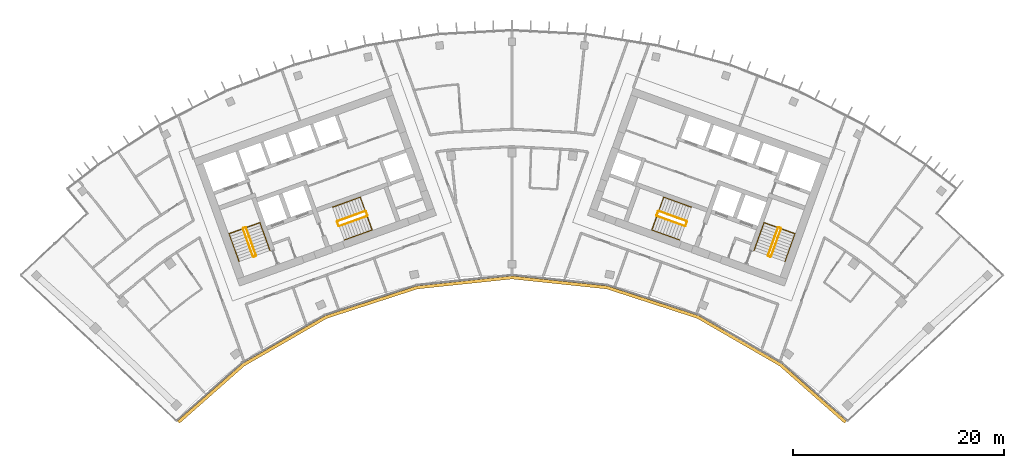
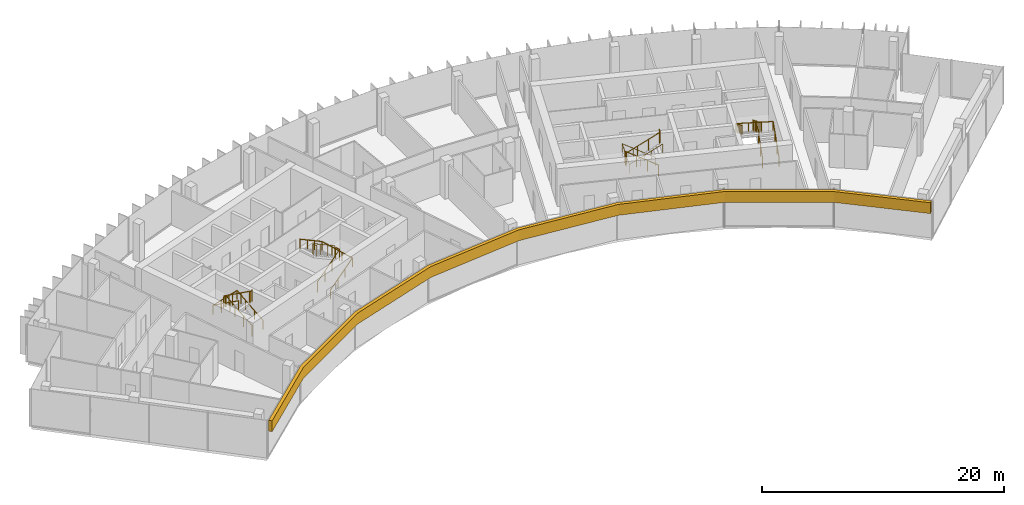
# One storey, part 19 of 19: 12 railings, 1 covering.
"""IFC4 building model written with IfcOpenShell, lengths in metres."""

from ifc_helpers import new_model, si_unit, direction, frame, origin, origin_2d, place, context, subcontext, project, spatial, polyline, circle, outline, extrude, material, layer, layer_set, type_object, element, save


model = new_model("IFC4")

# Units and contexts
model_context = context("Model", 3, precision=1e-05, world=origin(), true_north=direction((0.0, 1.0)))
body_context = subcontext(model_context, "Body", "Model", "MODEL_VIEW")
ifc_project = project(units=[si_unit("LENGTHUNIT", "METRE"), si_unit("AREAUNIT", "SQUARE_METRE"), si_unit("VOLUMEUNIT", "CUBIC_METRE"), si_unit("PLANEANGLEUNIT", "RADIAN"), si_unit("MASSUNIT", "GRAM", prefix="KILO")], contexts=[model_context])

# Site, building, storey
site_placement = place(None, origin())
site = spatial("IfcSite", under=ifc_project, at=site_placement, CompositionType="ELEMENT")
building_placement = place(site_placement, origin())
building = spatial("IfcBuilding", under=site, at=building_placement, Name="Stone Belt Terrace Tower", CompositionType="ELEMENT")
storey_placement = place(building_placement, frame((0.0, 0.0, 303.60009765625)))
storey = spatial("IfcBuildingStorey", under=building, at=storey_placement, Name="L74", CompositionType="ELEMENT", Elevation=303.60009765625)

# Railings
ifc_material_1 = material(Name="Structural steel C345", Category="steel")
railing_type_1 = type_object("IfcRailingType", Name="Stair guard 1100", PredefinedType="GUARDRAIL", material=ifc_material_1)
railing_1_placement = place(storey_placement, frame((-24.2119140625, 45.276123046875, 0.172607421875)))
element("IfcRailing", 1, at=railing_1_placement, inside=storey, type_object=railing_type_1, Name="L74 ST1A stair guard 1", PredefinedType="GUARDRAIL", context=body_context, shape_type="SweptSolid", body=[
    extrude(circle(Radius=0.02392578125, at=origin_2d()), frame((0.0, 0.0, 1.076171875), z_axis=(-0.288228637646, 0.800791768495, 0.525030280985), x_axis=(-0.940908529223, -0.338660803216, 0.0)), (0.0, 0.0, 1.0), 3.289794921875),
    extrude(circle(Radius=0.02392578125, at=origin_2d()), frame((-0.9482421875, 2.634521484375, 2.80322265625), z_axis=(-0.905209821074, 0.424964916, 0.0), x_axis=(-0.424964916, -0.905209821074, 0.0)), (0.0, 0.0, 1.0), 0.070556640625),
    extrude(circle(Radius=0.02392578125, at=origin_2d()), frame((-1.01220703125, 2.66455078125, 2.80322265625), z_axis=(-0.941105063269, -0.338114270461, 0.0), x_axis=(0.338114270461, -0.941105063269, 0.0)), (0.0, 0.0, 1.0), 0.199951171875),
    extrude(circle(Radius=0.02099609375, at=origin_2d()), origin(), (0.0, 0.0, 1.0), 1.052001953125),
    extrude(circle(Radius=0.02099609375, at=origin_2d()), frame((-0.316162109375, 0.878173828125, 0.57568359375)), (0.0, 0.0, 1.0), 1.052001953125),
    extrude(circle(Radius=0.02099609375, at=origin_2d()), frame((-0.632080078125, 1.75634765625, 1.151611328125)), (0.0, 0.0, 1.0), 1.052001953125),
    extrude(circle(Radius=0.02099609375, at=origin_2d()), frame((-0.9482421875, 2.634521484375, 1.727294921875)), (0.0, 0.0, 1.0), 1.052001953125),
    extrude(circle(Radius=0.02099609375, at=origin_2d()), frame((-1.01220703125, 2.66455078125, 1.727294921875)), (0.0, 0.0, 1.0), 1.052001953125),
    extrude(circle(Radius=0.02099609375, at=origin_2d()), frame((-1.200439453125, 2.596923828125, 1.727294921875)), (0.0, 0.0, 1.0), 1.052001953125),
])
railing_2_placement = place(storey_placement, frame((-25.4423828125, 47.80908203125, 2.072509765625)))
element("IfcRailing", 2, at=railing_2_placement, inside=storey, type_object=railing_type_1, Name="L74 ST1A stair guard 2", PredefinedType="GUARDRAIL", context=body_context, shape_type="SweptSolid", body=[
    extrude(circle(Radius=0.02392578125, at=origin_2d()), frame((0.0, 0.0, 1.076171875), z_axis=(0.288228637646, -0.800791768495, 0.525030280985), x_axis=(0.940908529223, 0.338660803216, 0.0)), (0.0, 0.0, 1.0), 3.289794921875),
    extrude(circle(Radius=0.02392578125, at=origin_2d()), frame((0.9482421875, -2.634521484375, 2.80322265625), z_axis=(0.903878284585, -0.427789722475, 0.0), x_axis=(0.427789722475, 0.903878284585, 0.0)), (0.0, 0.0, 1.0), 0.07080078125),
    extrude(circle(Radius=0.02392578125, at=origin_2d()), frame((1.01220703125, -2.664794921875, 2.80322265625), z_axis=(0.940575576748, 0.339584429008, 0.0), x_axis=(-0.339584429008, 0.940575576748, 0.0)), (0.0, 0.0, 1.0), 0.199951171875),
    extrude(circle(Radius=0.02099609375, at=origin_2d()), origin(), (0.0, 0.0, 1.0), 1.052001953125),
    extrude(circle(Radius=0.02099609375, at=origin_2d()), frame((0.316162109375, -0.878173828125, 0.57568359375)), (0.0, 0.0, 1.0), 1.052001953125),
    extrude(circle(Radius=0.02099609375, at=origin_2d()), frame((0.632080078125, -1.75634765625, 1.151611328125)), (0.0, 0.0, 1.0), 1.052001953125),
    extrude(circle(Radius=0.02099609375, at=origin_2d()), frame((0.9482421875, -2.634521484375, 1.727294921875)), (0.0, 0.0, 1.0), 1.052001953125),
    extrude(circle(Radius=0.02099609375, at=origin_2d()), frame((1.01220703125, -2.664794921875, 1.727294921875)), (0.0, 0.0, 1.0), 1.052001953125),
    extrude(circle(Radius=0.02099609375, at=origin_2d()), frame((1.2001953125, -2.596923828125, 1.727294921875)), (0.0, 0.0, 1.0), 1.052001953125),
])
railing_3_placement = place(storey_placement, frame((-16.33837890625, 48.056640625, 0.172607421875)))
element("IfcRailing", 3, at=railing_3_placement, inside=storey, type_object=railing_type_1, Name="L74 ST2A stair guard 1", PredefinedType="GUARDRAIL", context=body_context, shape_type="SweptSolid", body=[
    extrude(circle(Radius=0.02392578125, at=origin_2d()), frame((0.0, 0.0, 1.076171875), z_axis=(0.800808895155, 0.288160591223, 0.52504150989), x_axis=(-0.338583606334, 0.940936311087, 0.0)), (0.0, 0.0, 1.0), 3.289794921875),
    extrude(circle(Radius=0.02392578125, at=origin_2d()), frame((2.634521484375, 0.947998046875, 2.80322265625), z_axis=(0.427789722475, 0.903878284585, 0.0), x_axis=(-0.903878284585, 0.427789722475, 0.0)), (0.0, 0.0, 1.0), 0.07080078125),
    extrude(circle(Radius=0.02392578125, at=origin_2d()), frame((2.664794921875, 1.011962890625, 2.80322265625), z_axis=(-0.338654645739, 0.940910745459, 0.0), x_axis=(-0.940910745459, -0.338654645739, 0.0)), (0.0, 0.0, 1.0), 0.400146484375),
    extrude(circle(Radius=0.02099609375, at=origin_2d()), origin(), (0.0, 0.0, 1.0), 1.052001953125),
    extrude(circle(Radius=0.02099609375, at=origin_2d()), frame((0.878173828125, 0.31591796875, 0.57568359375)), (0.0, 0.0, 1.0), 1.052001953125),
    extrude(circle(Radius=0.02099609375, at=origin_2d()), frame((1.75634765625, 0.632080078125, 1.151611328125)), (0.0, 0.0, 1.0), 1.052001953125),
    extrude(circle(Radius=0.02099609375, at=origin_2d()), frame((2.634521484375, 0.947998046875, 1.727294921875)), (0.0, 0.0, 1.0), 1.052001953125),
    extrude(circle(Radius=0.02099609375, at=origin_2d()), frame((2.664794921875, 1.011962890625, 1.727294921875)), (0.0, 0.0, 1.0), 1.052001953125),
    extrude(circle(Radius=0.02099609375, at=origin_2d()), frame((2.529296875, 1.388427734375, 1.727294921875)), (0.0, 0.0, 1.0), 1.052001953125),
])
railing_4_placement = place(storey_placement, frame((-13.873046875, 49.47509765625, 2.072509765625)))
element("IfcRailing", 4, at=railing_4_placement, inside=storey, type_object=railing_type_1, Name="L74 ST2A stair guard 2", PredefinedType="GUARDRAIL", context=body_context, shape_type="SweptSolid", body=[
    extrude(circle(Radius=0.02392578125, at=origin_2d()), frame((0.0, 0.0, 1.076171875), z_axis=(-0.800808895155, -0.288160591223, 0.52504150989), x_axis=(0.338583606334, -0.940936311087, 0.0)), (0.0, 0.0, 1.0), 3.289794921875),
    extrude(circle(Radius=0.02392578125, at=origin_2d()), frame((-2.634521484375, -0.947998046875, 2.80322265625), z_axis=(-0.427789722475, -0.903878284585, 0.0), x_axis=(0.903878284585, -0.427789722475, 0.0)), (0.0, 0.0, 1.0), 0.07080078125),
    extrude(circle(Radius=0.02392578125, at=origin_2d()), frame((-2.664794921875, -1.011962890625, 2.80322265625), z_axis=(0.338654645739, -0.940910745459, 0.0), x_axis=(0.940910745459, 0.338654645739, 0.0)), (0.0, 0.0, 1.0), 0.400146484375),
    extrude(circle(Radius=0.02099609375, at=origin_2d()), origin(), (0.0, 0.0, 1.0), 1.052001953125),
    extrude(circle(Radius=0.02099609375, at=origin_2d()), frame((-0.878173828125, -0.31591796875, 0.57568359375)), (0.0, 0.0, 1.0), 1.052001953125),
    extrude(circle(Radius=0.02099609375, at=origin_2d()), frame((-1.75634765625, -0.632080078125, 1.151611328125)), (0.0, 0.0, 1.0), 1.052001953125),
    extrude(circle(Radius=0.02099609375, at=origin_2d()), frame((-2.634521484375, -0.947998046875, 1.727294921875)), (0.0, 0.0, 1.0), 1.052001953125),
    extrude(circle(Radius=0.02099609375, at=origin_2d()), frame((-2.664794921875, -1.011962890625, 1.727294921875)), (0.0, 0.0, 1.0), 1.052001953125),
    extrude(circle(Radius=0.02099609375, at=origin_2d()), frame((-2.529296875, -1.388427734375, 1.727294921875)), (0.0, 0.0, 1.0), 1.052001953125),
])
railing_5_placement = place(storey_placement, frame((24.494140625, 45.174560546875, 0.172607421875)))
element("IfcRailing", 5, at=railing_5_placement, inside=storey, type_object=railing_type_1, Name="L74 ST1B stair guard 1", PredefinedType="GUARDRAIL", context=body_context, shape_type="SweptSolid", body=[
    extrude(circle(Radius=0.02392578125, at=origin_2d()), frame((0.0, 0.0, 1.076171875), z_axis=(0.288228637646, 0.800791768495, 0.525030280985), x_axis=(-0.940908529223, 0.338660803216, 0.0)), (0.0, 0.0, 1.0), 3.289794921875),
    extrude(circle(Radius=0.02392578125, at=origin_2d()), frame((0.9482421875, 2.634521484375, 2.80322265625), z_axis=(-0.424964916, 0.905209821074, 0.0), x_axis=(-0.905209821074, -0.424964916, 0.0)), (0.0, 0.0, 1.0), 0.070556640625),
    extrude(circle(Radius=0.02392578125, at=origin_2d()), frame((0.918212890625, 2.698486328125, 2.80322265625), z_axis=(-0.941105063269, 0.338114270461, 0.0), x_axis=(-0.338114270461, -0.941105063269, 0.0)), (0.0, 0.0, 1.0), 0.199951171875),
    extrude(circle(Radius=0.02099609375, at=origin_2d()), origin(), (0.0, 0.0, 1.0), 1.052001953125),
    extrude(circle(Radius=0.02099609375, at=origin_2d()), frame((0.316162109375, 0.878173828125, 0.57568359375)), (0.0, 0.0, 1.0), 1.052001953125),
    extrude(circle(Radius=0.02099609375, at=origin_2d()), frame((0.632080078125, 1.75634765625, 1.151611328125)), (0.0, 0.0, 1.0), 1.052001953125),
    extrude(circle(Radius=0.02099609375, at=origin_2d()), frame((0.9482421875, 2.634521484375, 1.727294921875)), (0.0, 0.0, 1.0), 1.052001953125),
    extrude(circle(Radius=0.02099609375, at=origin_2d()), frame((0.918212890625, 2.698486328125, 1.727294921875)), (0.0, 0.0, 1.0), 1.052001953125),
    extrude(circle(Radius=0.02099609375, at=origin_2d()), frame((0.72998046875, 2.76611328125, 1.727294921875)), (0.0, 0.0, 1.0), 1.052001953125),
])
railing_6_placement = place(storey_placement, frame((25.16015625, 47.91064453125, 2.072509765625)))
element("IfcRailing", 6, at=railing_6_placement, inside=storey, type_object=railing_type_1, Name="L74 ST1B stair guard 2", PredefinedType="GUARDRAIL", context=body_context, shape_type="SweptSolid", body=[
    extrude(circle(Radius=0.02392578125, at=origin_2d()), frame((0.0, 0.0, 1.076171875), z_axis=(-0.288228637646, -0.800791768495, 0.525030280985), x_axis=(0.940908529223, -0.338660803216, 0.0)), (0.0, 0.0, 1.0), 3.289794921875),
    extrude(circle(Radius=0.02392578125, at=origin_2d()), frame((-0.9482421875, -2.634521484375, 2.80322265625), z_axis=(0.427789722475, -0.903878284585, 0.0), x_axis=(0.903878284585, 0.427789722475, 0.0)), (0.0, 0.0, 1.0), 0.07080078125),
    extrude(circle(Radius=0.02392578125, at=origin_2d()), frame((-0.91796875, -2.698486328125, 2.80322265625), z_axis=(0.940575576748, -0.339584429008, 0.0), x_axis=(0.339584429008, 0.940575576748, 0.0)), (0.0, 0.0, 1.0), 0.199951171875),
    extrude(circle(Radius=0.02099609375, at=origin_2d()), origin(), (0.0, 0.0, 1.0), 1.052001953125),
    extrude(circle(Radius=0.02099609375, at=origin_2d()), frame((-0.316162109375, -0.878173828125, 0.57568359375)), (0.0, 0.0, 1.0), 1.052001953125),
    extrude(circle(Radius=0.02099609375, at=origin_2d()), frame((-0.632080078125, -1.75634765625, 1.151611328125)), (0.0, 0.0, 1.0), 1.052001953125),
    extrude(circle(Radius=0.02099609375, at=origin_2d()), frame((-0.9482421875, -2.634521484375, 1.727294921875)), (0.0, 0.0, 1.0), 1.052001953125),
    extrude(circle(Radius=0.02099609375, at=origin_2d()), frame((-0.91796875, -2.698486328125, 1.727294921875)), (0.0, 0.0, 1.0), 1.052001953125),
    extrude(circle(Radius=0.02099609375, at=origin_2d()), frame((-0.72998046875, -2.766357421875, 1.727294921875)), (0.0, 0.0, 1.0), 1.052001953125),
])
railing_7_placement = place(storey_placement, frame((16.507568359375, 48.527099609375, 0.172607421875)))
element("IfcRailing", 7, at=railing_7_placement, inside=storey, type_object=railing_type_1, Name="L74 ST2B stair guard 1", PredefinedType="GUARDRAIL", context=body_context, shape_type="SweptSolid", body=[
    extrude(circle(Radius=0.02392578125, at=origin_2d()), frame((0.0, 0.0, 1.076171875), z_axis=(-0.800808895155, 0.288160591223, 0.52504150989), x_axis=(-0.338583606334, -0.940936311087, 0.0)), (0.0, 0.0, 1.0), 3.289794921875),
    extrude(circle(Radius=0.02392578125, at=origin_2d()), frame((-2.634521484375, 0.947998046875, 2.80322265625), z_axis=(-0.905209821074, -0.424964916, 0.0), x_axis=(0.424964916, -0.905209821074, 0.0)), (0.0, 0.0, 1.0), 0.070556640625),
    extrude(circle(Radius=0.02392578125, at=origin_2d()), frame((-2.698486328125, 0.91796875, 2.80322265625), z_axis=(-0.338654645739, -0.940910745459, 0.0), x_axis=(0.940910745459, -0.338654645739, 0.0)), (0.0, 0.0, 1.0), 0.400146484375),
    extrude(circle(Radius=0.02099609375, at=origin_2d()), origin(), (0.0, 0.0, 1.0), 1.052001953125),
    extrude(circle(Radius=0.02099609375, at=origin_2d()), frame((-0.878173828125, 0.31591796875, 0.57568359375)), (0.0, 0.0, 1.0), 1.052001953125),
    extrude(circle(Radius=0.02099609375, at=origin_2d()), frame((-1.75634765625, 0.632080078125, 1.151611328125)), (0.0, 0.0, 1.0), 1.052001953125),
    extrude(circle(Radius=0.02099609375, at=origin_2d()), frame((-2.634521484375, 0.947998046875, 1.727294921875)), (0.0, 0.0, 1.0), 1.052001953125),
    extrude(circle(Radius=0.02099609375, at=origin_2d()), frame((-2.698486328125, 0.91796875, 1.727294921875)), (0.0, 0.0, 1.0), 1.052001953125),
    extrude(circle(Radius=0.02099609375, at=origin_2d()), frame((-2.833984375, 0.54150390625, 1.727294921875)), (0.0, 0.0, 1.0), 1.052001953125),
])
railing_8_placement = place(storey_placement, frame((13.703857421875, 49.004638671875, 2.072509765625)))
element("IfcRailing", 8, at=railing_8_placement, inside=storey, type_object=railing_type_1, Name="L74 ST2B stair guard 2", PredefinedType="GUARDRAIL", context=body_context, shape_type="SweptSolid", body=[
    extrude(circle(Radius=0.02392578125, at=origin_2d()), frame((0.0, 0.0, 1.076171875), z_axis=(0.800808895155, -0.288160591223, 0.52504150989), x_axis=(0.338583606334, 0.940936311087, 0.0)), (0.0, 0.0, 1.0), 3.289794921875),
    extrude(circle(Radius=0.02392578125, at=origin_2d()), frame((2.634521484375, -0.947998046875, 2.80322265625), z_axis=(0.905209821074, 0.424964916, 0.0), x_axis=(-0.424964916, 0.905209821074, 0.0)), (0.0, 0.0, 1.0), 0.070556640625),
    extrude(circle(Radius=0.02392578125, at=origin_2d()), frame((2.698486328125, -0.91796875, 2.80322265625), z_axis=(0.338654645739, 0.940910745459, 0.0), x_axis=(-0.940910745459, 0.338654645739, 0.0)), (0.0, 0.0, 1.0), 0.400146484375),
    extrude(circle(Radius=0.02099609375, at=origin_2d()), origin(), (0.0, 0.0, 1.0), 1.052001953125),
    extrude(circle(Radius=0.02099609375, at=origin_2d()), frame((0.878173828125, -0.31591796875, 0.57568359375)), (0.0, 0.0, 1.0), 1.052001953125),
    extrude(circle(Radius=0.02099609375, at=origin_2d()), frame((1.75634765625, -0.632080078125, 1.151611328125)), (0.0, 0.0, 1.0), 1.052001953125),
    extrude(circle(Radius=0.02099609375, at=origin_2d()), frame((2.634521484375, -0.947998046875, 1.727294921875)), (0.0, 0.0, 1.0), 1.052001953125),
    extrude(circle(Radius=0.02099609375, at=origin_2d()), frame((2.698486328125, -0.91796875, 1.727294921875)), (0.0, 0.0, 1.0), 1.052001953125),
    extrude(circle(Radius=0.02099609375, at=origin_2d()), frame((2.833984375, -0.54150390625, 1.727294921875)), (0.0, 0.0, 1.0), 1.052001953125),
])
railing_type_2 = type_object("IfcRailingType", Name="Stair handrail 900", PredefinedType="HANDRAIL", material=ifc_material_1)
railing_9_placement = place(storey_placement, frame((-22.894775390625, 45.750244140625, 0.172607421875)))
element("IfcRailing", 9, at=railing_9_placement, inside=storey, type_object=railing_type_2, Name="L74 ST1A stair handrail 1", PredefinedType="HANDRAIL", context=body_context, shape_type="SweptSolid", body=[
    extrude(circle(Radius=0.02392578125, at=origin_2d()), frame((0.0, 0.0, 0.8759765625), z_axis=(-0.288160591223, 0.800808895155, 0.52504150989), x_axis=(-0.940936311087, -0.338583606334, 0.0)), (0.0, 0.0, 1.0), 3.289794921875),
    extrude(circle(Radius=0.02392578125, at=origin_2d()), frame((-0.947998046875, 2.634521484375, 2.60302734375), z_axis=(-0.939464517435, -0.338106580597, 0.055591012205), x_axis=(0.338630230244, -0.940919532779, 0.0)), (0.0, 0.0, 1.0), 3.10498046875),
    extrude(circle(Radius=0.02392578125, at=origin_2d()), frame((-3.864990234375, 1.584716796875, 2.77587890625), z_axis=(0.288228637646, -0.800791768495, 0.525030280985), x_axis=(0.940908529223, 0.338660803216, 0.0)), (0.0, 0.0, 1.0), 3.289794921875),
    extrude(circle(Radius=0.02099609375, at=origin_2d()), origin(), (0.0, 0.0, 1.0), 0.851806640625),
    extrude(circle(Radius=0.02099609375, at=origin_2d()), frame((-0.31591796875, 0.878173828125, 0.57568359375)), (0.0, 0.0, 1.0), 0.851806640625),
    extrude(circle(Radius=0.02099609375, at=origin_2d()), frame((-0.632080078125, 1.75634765625, 1.151611328125)), (0.0, 0.0, 1.0), 0.851806640625),
    extrude(circle(Radius=0.02099609375, at=origin_2d()), frame((-0.947998046875, 2.634521484375, 1.727294921875)), (0.0, 0.0, 1.0), 0.851806640625),
    extrude(circle(Radius=0.02099609375, at=origin_2d()), frame((-1.92041015625, 2.28466796875, 1.784912109375)), (0.0, 0.0, 1.0), 0.851806640625),
    extrude(circle(Radius=0.02099609375, at=origin_2d()), frame((-2.892578125, 1.9345703125, 1.84228515625)), (0.0, 0.0, 1.0), 0.851806640625),
    extrude(circle(Radius=0.02099609375, at=origin_2d()), frame((-3.864990234375, 1.584716796875, 1.89990234375)), (0.0, 0.0, 1.0), 0.851806640625),
    extrude(circle(Radius=0.02099609375, at=origin_2d()), frame((-3.548828125, 0.70654296875, 2.4755859375)), (0.0, 0.0, 1.0), 0.851806640625),
    extrude(circle(Radius=0.02099609375, at=origin_2d()), frame((-3.23291015625, -0.171630859375, 3.051513671875)), (0.0, 0.0, 1.0), 0.851806640625),
    extrude(circle(Radius=0.02099609375, at=origin_2d()), frame((-2.916748046875, -1.0498046875, 3.627197265625)), (0.0, 0.0, 1.0), 0.851806640625),
])
railing_10_placement = place(storey_placement, frame((-15.8642578125, 46.7392578125, 0.172607421875)))
element("IfcRailing", 10, at=railing_10_placement, inside=storey, type_object=railing_type_2, Name="L74 ST2A stair handrail 1", PredefinedType="HANDRAIL", context=body_context, shape_type="SweptSolid", body=[
    extrude(circle(Radius=0.02392578125, at=origin_2d()), frame((0.0, 0.0, 0.8759765625), z_axis=(0.800791768495, 0.288228637646, 0.525030280985), x_axis=(-0.338660803216, 0.940908529223, 0.0)), (0.0, 0.0, 1.0), 3.289794921875),
    extrude(circle(Radius=0.02392578125, at=origin_2d()), frame((2.634521484375, 0.9482421875, 2.60302734375), z_axis=(-0.338160254016, 0.939637778147, 0.052234935458), x_axis=(-0.940922302781, -0.338622533404, 0.0)), (0.0, 0.0, 1.0), 3.304443359375),
    extrude(circle(Radius=0.02392578125, at=origin_2d()), frame((1.51708984375, 4.05322265625, 2.77587890625), z_axis=(-0.800791768495, -0.288228637646, 0.525030280985), x_axis=(0.338660803216, -0.940908529223, 0.0)), (0.0, 0.0, 1.0), 3.289794921875),
    extrude(circle(Radius=0.02099609375, at=origin_2d()), origin(), (0.0, 0.0, 1.0), 0.851806640625),
    extrude(circle(Radius=0.02099609375, at=origin_2d()), frame((0.878173828125, 0.316162109375, 0.57568359375)), (0.0, 0.0, 1.0), 0.851806640625),
    extrude(circle(Radius=0.02099609375, at=origin_2d()), frame((1.75634765625, 0.632080078125, 1.151611328125)), (0.0, 0.0, 1.0), 0.851806640625),
    extrude(circle(Radius=0.02099609375, at=origin_2d()), frame((2.634521484375, 0.9482421875, 1.727294921875)), (0.0, 0.0, 1.0), 0.851806640625),
    extrude(circle(Radius=0.02099609375, at=origin_2d()), frame((2.261962890625, 1.983154296875, 1.784912109375)), (0.0, 0.0, 1.0), 0.851806640625),
    extrude(circle(Radius=0.02099609375, at=origin_2d()), frame((1.8896484375, 3.018310546875, 1.84228515625)), (0.0, 0.0, 1.0), 0.851806640625),
    extrude(circle(Radius=0.02099609375, at=origin_2d()), frame((1.51708984375, 4.05322265625, 1.89990234375)), (0.0, 0.0, 1.0), 0.851806640625),
    extrude(circle(Radius=0.02099609375, at=origin_2d()), frame((0.638916015625, 3.737060546875, 2.4755859375)), (0.0, 0.0, 1.0), 0.851806640625),
    extrude(circle(Radius=0.02099609375, at=origin_2d()), frame((-0.2392578125, 3.421142578125, 3.051513671875)), (0.0, 0.0, 1.0), 0.851806640625),
    extrude(circle(Radius=0.02099609375, at=origin_2d()), frame((-1.117431640625, 3.10498046875, 3.627197265625)), (0.0, 0.0, 1.0), 0.851806640625),
])
railing_11_placement = place(storey_placement, frame((25.8115234375, 44.700439453125, 0.172607421875)))
element("IfcRailing", 11, at=railing_11_placement, inside=storey, type_object=railing_type_2, Name="L74 ST1B stair handrail 1", PredefinedType="HANDRAIL", context=body_context, shape_type="SweptSolid", body=[
    extrude(circle(Radius=0.02392578125, at=origin_2d()), frame((0.0, 0.0, 0.8759765625), z_axis=(0.288228637646, 0.800791768495, 0.525030280985), x_axis=(-0.940908529223, 0.338660803216, 0.0)), (0.0, 0.0, 1.0), 3.289794921875),
    extrude(circle(Radius=0.02392578125, at=origin_2d()), frame((0.9482421875, 2.634521484375, 2.60302734375), z_axis=(-0.939464517435, 0.338106580597, 0.055591012205), x_axis=(-0.338630230244, -0.940919532779, 0.0)), (0.0, 0.0, 1.0), 3.10498046875),
    extrude(circle(Radius=0.02392578125, at=origin_2d()), frame((-1.96875, 3.684326171875, 2.77587890625), z_axis=(-0.288160591223, -0.800808895155, 0.52504150989), x_axis=(0.940936311087, -0.338583606334, 0.0)), (0.0, 0.0, 1.0), 3.289794921875),
    extrude(circle(Radius=0.02099609375, at=origin_2d()), origin(), (0.0, 0.0, 1.0), 0.851806640625),
    extrude(circle(Radius=0.02099609375, at=origin_2d()), frame((0.316162109375, 0.878173828125, 0.57568359375)), (0.0, 0.0, 1.0), 0.851806640625),
    extrude(circle(Radius=0.02099609375, at=origin_2d()), frame((0.632080078125, 1.75634765625, 1.151611328125)), (0.0, 0.0, 1.0), 0.851806640625),
    extrude(circle(Radius=0.02099609375, at=origin_2d()), frame((0.9482421875, 2.634521484375, 1.727294921875)), (0.0, 0.0, 1.0), 0.851806640625),
    extrude(circle(Radius=0.02099609375, at=origin_2d()), frame((-0.024169921875, 2.984375, 1.784912109375)), (0.0, 0.0, 1.0), 0.851806640625),
    extrude(circle(Radius=0.02099609375, at=origin_2d()), frame((-0.996337890625, 3.33447265625, 1.84228515625)), (0.0, 0.0, 1.0), 0.851806640625),
    extrude(circle(Radius=0.02099609375, at=origin_2d()), frame((-1.96875, 3.684326171875, 1.89990234375)), (0.0, 0.0, 1.0), 0.851806640625),
    extrude(circle(Radius=0.02099609375, at=origin_2d()), frame((-2.28466796875, 2.80615234375, 2.4755859375)), (0.0, 0.0, 1.0), 0.851806640625),
    extrude(circle(Radius=0.02099609375, at=origin_2d()), frame((-2.600830078125, 1.927978515625, 3.051513671875)), (0.0, 0.0, 1.0), 0.851806640625),
    extrude(circle(Radius=0.02099609375, at=origin_2d()), frame((-2.916748046875, 1.0498046875, 3.627197265625)), (0.0, 0.0, 1.0), 0.851806640625),
])
railing_12_placement = place(storey_placement, frame((16.981689453125, 49.84423828125, 0.172607421875)))
element("IfcRailing", 12, at=railing_12_placement, inside=storey, type_object=railing_type_2, Name="L74 ST2B stair handrail 1", PredefinedType="HANDRAIL", context=body_context, shape_type="SweptSolid", body=[
    extrude(circle(Radius=0.02392578125, at=origin_2d()), frame((0.0, 0.0, 0.8759765625), z_axis=(-0.800791768495, 0.288228637646, 0.525030280985), x_axis=(-0.338660803216, -0.940908529223, 0.0)), (0.0, 0.0, 1.0), 3.289794921875),
    extrude(circle(Radius=0.02392578125, at=origin_2d()), frame((-2.634521484375, 0.9482421875, 2.60302734375), z_axis=(-0.338160254016, -0.939637778147, 0.052234935458), x_axis=(0.940922302781, -0.338622533404, 0.0)), (0.0, 0.0, 1.0), 3.304443359375),
    extrude(circle(Radius=0.02392578125, at=origin_2d()), frame((-3.751953125, -2.15673828125, 2.77587890625), z_axis=(0.800791768495, -0.288228637646, 0.525030280985), x_axis=(0.338660803216, 0.940908529223, 0.0)), (0.0, 0.0, 1.0), 3.289794921875),
    extrude(circle(Radius=0.02099609375, at=origin_2d()), origin(), (0.0, 0.0, 1.0), 0.851806640625),
    extrude(circle(Radius=0.02099609375, at=origin_2d()), frame((-0.878173828125, 0.316162109375, 0.57568359375)), (0.0, 0.0, 1.0), 0.851806640625),
    extrude(circle(Radius=0.02099609375, at=origin_2d()), frame((-1.75634765625, 0.632080078125, 1.151611328125)), (0.0, 0.0, 1.0), 0.851806640625),
    extrude(circle(Radius=0.02099609375, at=origin_2d()), frame((-2.634521484375, 0.9482421875, 1.727294921875)), (0.0, 0.0, 1.0), 0.851806640625),
    extrude(circle(Radius=0.02099609375, at=origin_2d()), frame((-3.007080078125, -0.086669921875, 1.784912109375)), (0.0, 0.0, 1.0), 0.851806640625),
    extrude(circle(Radius=0.02099609375, at=origin_2d()), frame((-3.37939453125, -1.121826171875, 1.84228515625)), (0.0, 0.0, 1.0), 0.851806640625),
    extrude(circle(Radius=0.02099609375, at=origin_2d()), frame((-3.751953125, -2.15673828125, 1.89990234375)), (0.0, 0.0, 1.0), 0.851806640625),
    extrude(circle(Radius=0.02099609375, at=origin_2d()), frame((-2.873779296875, -2.472900390625, 2.4755859375)), (0.0, 0.0, 1.0), 0.851806640625),
    extrude(circle(Radius=0.02099609375, at=origin_2d()), frame((-1.99560546875, -2.788818359375, 3.051513671875)), (0.0, 0.0, 1.0), 0.851806640625),
    extrude(circle(Radius=0.02099609375, at=origin_2d()), frame((-1.117431640625, -3.10498046875, 3.627197265625)), (0.0, 0.0, 1.0), 0.851806640625),
])

# Covering
ifc_material_2 = material(Name="Terracotta coloured glazed ceramic", Category="masonry")
ifc_layer = layer(ifc_material_2, 0.300048828125)
ifc_layer_set = layer_set([ifc_layer], Name="Terracotta spandrel band 300 x 1100")
covering_type = type_object("IfcCoveringType", Name="Terracotta spandrel band 300 x 1100", PredefinedType="CLADDING", material=ifc_layer_set)
covering_placement = place(storey_placement, frame((0.0, 0.0, 2.699951171875)))
element("IfcCovering", 13, at=covering_placement, inside=storey, type_object=covering_type, Name="BAND L74", PredefinedType="CLADDING", context=body_context, shape_type="SweptSolid", body=[
    extrude(outline(polyline([(-31.651611328125, 29.6220703125), (-25.480712890625, 35.06982421875), (-17.631591796875, 39.6015625), (-9.0126953125, 42.40185546875), (0.0, 43.34912109375), (9.0126953125, 42.40185546875), (17.631591796875, 39.6015625), (25.480712890625, 35.06982421875), (31.651611328125, 29.6220703125), (31.453125, 29.39697265625), (25.3046875, 34.824951171875), (17.509033203125, 39.325927734375), (8.9501953125, 42.10693359375), (0.0, 43.047607421875), (-8.9501953125, 42.10693359375), (-17.509033203125, 39.325927734375), (-25.3046875, 34.824951171875), (-31.453125, 29.39697265625), (-31.651611328125, 29.6220703125)])), origin(), (0.0, 0.0, 1.0), 1.099853515625),
])

save(model, "model.ifc")
